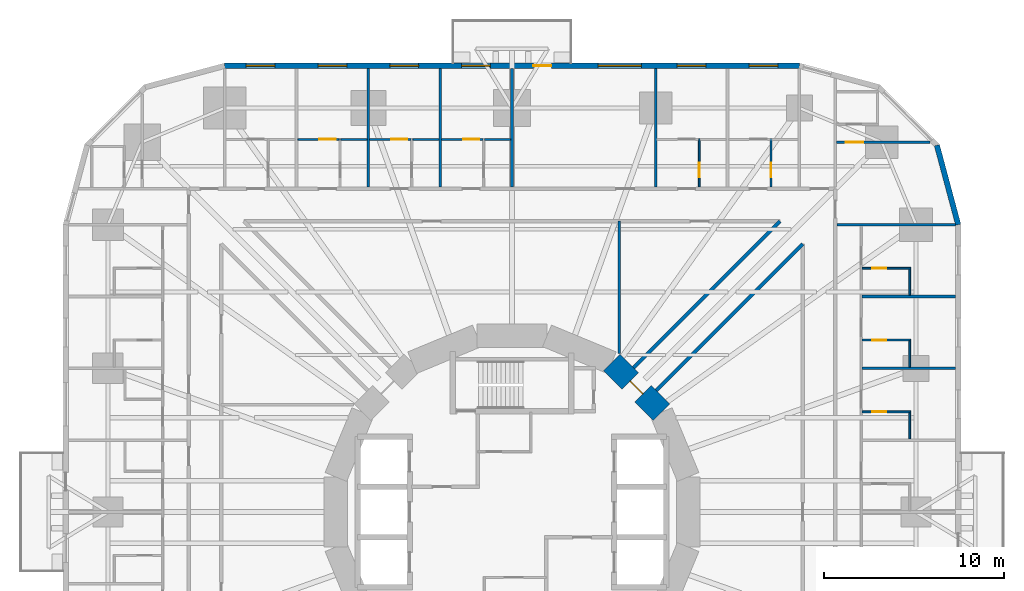
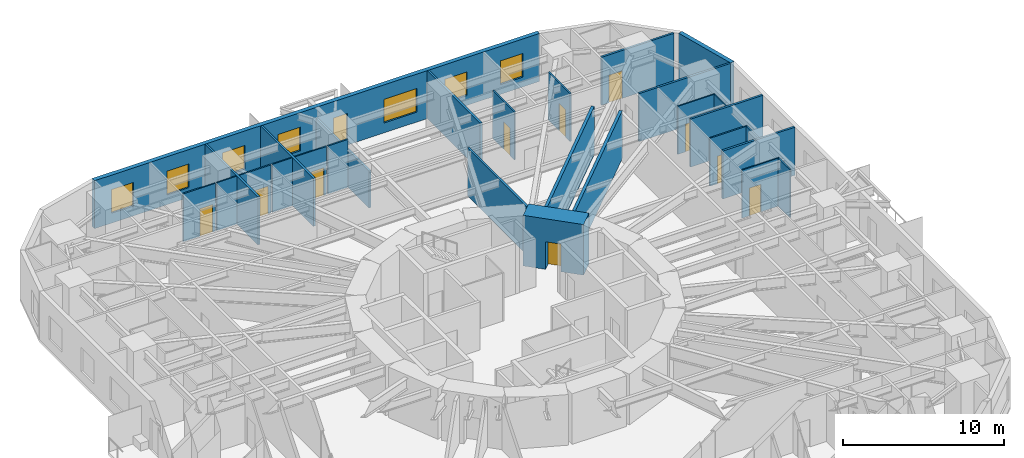
# One storey, part 11 of 14: 28 walls, 11 doors, 7 windows, 18 openings.
"""IFC4 building model written with IfcOpenShell, lengths in metres."""

from ifc_helpers import new_model, si_unit, direction, frame, frame_2d, origin, place, context, subcontext, project, spatial, rectangle, extrude, material, layer, layer_set, type_object, element, fill, save


model = new_model("IFC4")

# Units and contexts
model_context = context("Model", 3, precision=1e-05, world=origin(), true_north=direction((0.0, 1.0)))
body_context = subcontext(model_context, "Body", "Model", "MODEL_VIEW")
ifc_project = project(units=[si_unit("LENGTHUNIT", "METRE"), si_unit("AREAUNIT", "SQUARE_METRE"), si_unit("VOLUMEUNIT", "CUBIC_METRE"), si_unit("PLANEANGLEUNIT", "RADIAN"), si_unit("MASSUNIT", "GRAM", prefix="KILO")], contexts=[model_context])

# Site, building, storey
site_placement = place(None, origin())
site = spatial("IfcSite", under=ifc_project, at=site_placement, CompositionType="ELEMENT")
building_placement = place(site_placement, origin())
building = spatial("IfcBuilding", under=site, at=building_placement, Name="Nakasero Lantern House", CompositionType="ELEMENT")
storey_placement = place(building_placement, frame((0.0, 0.0, 23.699951171875)))
storey = spatial("IfcBuildingStorey", under=building, at=storey_placement, Name="L05", CompositionType="ELEMENT", Elevation=23.699951171875)

# Wall, opening, door
ifc_material_1 = material(Name="Concrete C50/60", Category="concrete")
ifc_layer_1 = layer(ifc_material_1, 1.300048828125)
ifc_layer_set_1 = layer_set([ifc_layer_1], Name="Core wall 1300")
wall_type_1 = type_object("IfcWallType", Name="Core wall 1300", PredefinedType="SHEAR", material=ifc_layer_set_1)
wall_1_placement = place(storey_placement, frame((8.314697265625, 5.5556640625, 0.0), z_axis=(0.0, 0.0, 1.0), x_axis=(-0.707106781187, 0.707106781187, 0.0)))
wall_1 = element("IfcWall", 1, at=wall_1_placement, inside=storey, type_object=wall_type_1, Name="Core wall L05 facet 2", PredefinedType="SHEAR", context=body_context, shape_type="SweptSolid", body=[
    extrude(rectangle(XDim=3.90185546875, YDim=1.300048828125, at=frame_2d((1.950927734375, 0.0))), origin(), (0.0, 0.0, 1.0), 3.85009765625),
])
opening_1_placement = place(wall_1_placement, frame((1.450927734375, 0.0, 0.0)))
opening_1 = element("IfcOpeningElement", 2, at=opening_1_placement, cuts=wall_1, Name="Opening D05", PredefinedType="OPENING", context=body_context, shape_type="SweptSolid", body=[
    extrude(rectangle(XDim=1.0, YDim=2.10009765625, at=frame_2d((0.5, 1.050048828125))), frame((0.0, 0.669921875, 0.0), z_axis=(0.0, -1.0, 0.0), x_axis=(1.0, 0.0, 0.0)), (0.0, 0.0, 1.0), 1.340087890625),
])
ifc_material_2 = material(Name="Timber C24", Category="wood")
door_type_1 = type_object("IfcDoorType", Name="Core door FD60S 1000", OperationType="SINGLE_SWING_LEFT", PredefinedType="DOOR", material=ifc_material_2)
door_1_placement = place(opening_1_placement, origin())
door_1 = element("IfcDoor", 3, at=door_1_placement, inside=storey, type_object=door_type_1, Name="Door L05 D-CORE02", OperationType="SINGLE_SWING_LEFT", OverallHeight=2.10009765625, OverallWidth=1.0, PredefinedType="DOOR", context=body_context, shape_type="SweptSolid", body=[
    extrude(rectangle(XDim=1.0, YDim=2.10009765625, at=frame_2d((0.5, 1.050048828125))), frame((0.0, 0.02490234375, 0.0), z_axis=(0.0, -1.0, 0.0), x_axis=(1.0, 0.0, 0.0)), (0.0, 0.0, 1.0), 0.050048828125),
])
fill(opening_1, door_1)

# Walls
ifc_material_3 = material(Name="Blockwork", Category="masonry")
ifc_layer_2 = layer(ifc_material_3, 0.199951171875)
ifc_layer_set_2 = layer_set([ifc_layer_2], Name="Corridor wall 200")
wall_type_2 = type_object("IfcWallType", Name="Corridor wall 200", PredefinedType="PARTITIONING", material=ifc_layer_set_2)
for number, where, z_axis, x_axis, name in (
    (4, (6.758544921875, 8.03125, 0.0), (0.0, 0.0, 1.0), (0.707106781187, 0.707106781187, 0.0), "Corridor wall L05 PS02a"),
    (5, (8.03125, 6.758544921875, 0.0), (0.0, 0.0, 1.0), (0.707106781187, 0.707106781187, 0.0), "Corridor wall L05 PS02b"),
):
    element("IfcWall", number, at=place(storey_placement, frame(where, z_axis=z_axis, x_axis=x_axis)), inside=storey, type_object=wall_type_2, Name=name, PredefinedType="PARTITIONING", context=body_context, shape_type="SweptSolid", body=[
        extrude(rectangle(XDim=11.55224609375, YDim=0.199951171875, at=frame_2d((5.776123046875, 0.0))), origin(), (0.0, 0.0, 1.0), 3.650146484375),
    ])

# Wall, opening, door
ifc_material_4 = material(Name="Blockwork", Category="masonry")
ifc_layer_3 = layer(ifc_material_4, 0.10009765625)
ifc_layer_set_3 = layer_set([ifc_layer_3], Name="En-suite wall 100")
wall_type_3 = type_object("IfcWallType", Name="En-suite wall 100", PredefinedType="PARTITIONING", material=ifc_layer_set_3)
wall_2_placement = place(storey_placement, frame((19.5, 5.574951171875, 0.0), z_axis=(0.0, 0.0, 1.0), x_axis=(1.0, 0.0, 0.0)))
wall_2 = element("IfcWall", 6, at=wall_2_placement, inside=storey, type_object=wall_type_3, Name="En-suite wall L05 ES0-06", PredefinedType="PARTITIONING", context=body_context, shape_type="SweptSolid", body=[
    extrude(rectangle(XDim=2.699951171875, YDim=0.10009765625, at=frame_2d((1.35009765625, 0.0))), origin(), (0.0, 0.0, 1.0), 3.650146484375),
])
opening_2_placement = place(wall_2_placement, frame((0.550048828125, 0.0, 0.0)))
opening_2 = element("IfcOpeningElement", 7, at=opening_2_placement, cuts=wall_2, Name="Opening D02", PredefinedType="OPENING", context=body_context, shape_type="SweptSolid", body=[
    extrude(rectangle(XDim=0.800048828125, YDim=2.10009765625, at=frame_2d((0.39990234375, 1.050048828125))), frame((0.0, 0.070068359375, 0.0), z_axis=(0.0, -1.0, 0.0), x_axis=(1.0, 0.0, 0.0)), (0.0, 0.0, 1.0), 0.14013671875),
])
ifc_material_5 = material(Name="Timber C24", Category="wood")
door_type_2 = type_object("IfcDoorType", Name="En-suite door 800", OperationType="SINGLE_SWING_RIGHT", PredefinedType="DOOR", material=ifc_material_5)
door_2_placement = place(opening_2_placement, origin())
door_2 = element("IfcDoor", 8, at=door_2_placement, inside=storey, type_object=door_type_2, Name="Door L05 DE0-06", OperationType="SINGLE_SWING_LEFT", OverallHeight=2.10009765625, OverallWidth=0.800048828125, PredefinedType="DOOR", context=body_context, shape_type="SweptSolid", body=[
    extrude(rectangle(XDim=0.800048828125, YDim=2.10009765625, at=frame_2d((0.39990234375, 1.050048828125))), frame((0.0, 0.02490234375, 0.0), z_axis=(0.0, -1.0, 0.0), x_axis=(1.0, 0.0, 0.0)), (0.0, 0.0, 1.0), 0.050048828125),
])
fill(opening_2, door_2)

# Wall
wall_3_placement = place(storey_placement, frame((22.14990234375, 4.074951171875, 0.0), z_axis=(0.0, 0.0, 1.0), x_axis=(0.0, 1.0, 0.0)))
element("IfcWall", 9, at=wall_3_placement, inside=storey, type_object=wall_type_3, Name="En-suite wall L05 EE0-06", PredefinedType="PARTITIONING", context=body_context, shape_type="SweptSolid", body=[
    extrude(rectangle(XDim=1.449951171875, YDim=0.10009765625, at=frame_2d((0.72509765625, 0.0))), origin(), (0.0, 0.0, 1.0), 3.650146484375),
])

# Wall, opening, door
wall_4_placement = place(storey_placement, frame((19.5, 9.574951171875, 0.0), z_axis=(0.0, 0.0, 1.0), x_axis=(1.0, 0.0, 0.0)))
wall_4 = element("IfcWall", 10, at=wall_4_placement, inside=storey, type_object=wall_type_3, Name="En-suite wall L05 ES0-07", PredefinedType="PARTITIONING", context=body_context, shape_type="SweptSolid", body=[
    extrude(rectangle(XDim=2.699951171875, YDim=0.10009765625, at=frame_2d((1.35009765625, 0.0))), origin(), (0.0, 0.0, 1.0), 3.650146484375),
])
opening_3_placement = place(wall_4_placement, frame((0.550048828125, 0.0, 0.0)))
opening_3 = element("IfcOpeningElement", 11, at=opening_3_placement, cuts=wall_4, Name="Opening D02", PredefinedType="OPENING", context=body_context, shape_type="SweptSolid", body=[
    extrude(rectangle(XDim=0.800048828125, YDim=2.10009765625, at=frame_2d((0.39990234375, 1.050048828125))), frame((0.0, 0.070068359375, 0.0), z_axis=(0.0, -1.0, 0.0), x_axis=(1.0, 0.0, 0.0)), (0.0, 0.0, 1.0), 0.14013671875),
])
door_3_placement = place(opening_3_placement, origin())
door_3 = element("IfcDoor", 12, at=door_3_placement, inside=storey, type_object=door_type_2, Name="Door L05 DE0-07", OperationType="SINGLE_SWING_LEFT", OverallHeight=2.10009765625, OverallWidth=0.800048828125, PredefinedType="DOOR", context=body_context, shape_type="SweptSolid", body=[
    extrude(rectangle(XDim=0.800048828125, YDim=2.10009765625, at=frame_2d((0.39990234375, 1.050048828125))), frame((0.0, 0.02490234375, 0.0), z_axis=(0.0, -1.0, 0.0), x_axis=(1.0, 0.0, 0.0)), (0.0, 0.0, 1.0), 0.050048828125),
])
fill(opening_3, door_3)

# Wall
wall_5_placement = place(storey_placement, frame((22.14990234375, 8.074951171875, 0.0), z_axis=(0.0, 0.0, 1.0), x_axis=(0.0, 1.0, 0.0)))
element("IfcWall", 13, at=wall_5_placement, inside=storey, type_object=wall_type_3, Name="En-suite wall L05 EE0-07", PredefinedType="PARTITIONING", context=body_context, shape_type="SweptSolid", body=[
    extrude(rectangle(XDim=1.449951171875, YDim=0.10009765625, at=frame_2d((0.72509765625, 0.0))), origin(), (0.0, 0.0, 1.0), 3.650146484375),
])

# Wall, opening, door
wall_6_placement = place(storey_placement, frame((19.5, 13.574951171875, 0.0), z_axis=(0.0, 0.0, 1.0), x_axis=(1.0, 0.0, 0.0)))
wall_6 = element("IfcWall", 14, at=wall_6_placement, inside=storey, type_object=wall_type_3, Name="En-suite wall L05 ES0-08", PredefinedType="PARTITIONING", context=body_context, shape_type="SweptSolid", body=[
    extrude(rectangle(XDim=2.699951171875, YDim=0.10009765625, at=frame_2d((1.35009765625, 0.0))), origin(), (0.0, 0.0, 1.0), 3.650146484375),
])
opening_4_placement = place(wall_6_placement, frame((0.550048828125, 0.0, 0.0)))
opening_4 = element("IfcOpeningElement", 15, at=opening_4_placement, cuts=wall_6, Name="Opening D02", PredefinedType="OPENING", context=body_context, shape_type="SweptSolid", body=[
    extrude(rectangle(XDim=0.800048828125, YDim=2.10009765625, at=frame_2d((0.39990234375, 1.050048828125))), frame((0.0, 0.070068359375, 0.0), z_axis=(0.0, -1.0, 0.0), x_axis=(1.0, 0.0, 0.0)), (0.0, 0.0, 1.0), 0.14013671875),
])
door_4_placement = place(opening_4_placement, origin())
door_4 = element("IfcDoor", 16, at=door_4_placement, inside=storey, type_object=door_type_2, Name="Door L05 DE0-08", OperationType="SINGLE_SWING_LEFT", OverallHeight=2.10009765625, OverallWidth=0.800048828125, PredefinedType="DOOR", context=body_context, shape_type="SweptSolid", body=[
    extrude(rectangle(XDim=0.800048828125, YDim=2.10009765625, at=frame_2d((0.39990234375, 1.050048828125))), frame((0.0, 0.02490234375, 0.0), z_axis=(0.0, -1.0, 0.0), x_axis=(1.0, 0.0, 0.0)), (0.0, 0.0, 1.0), 0.050048828125),
])
fill(opening_4, door_4)

# Wall
wall_7_placement = place(storey_placement, frame((22.14990234375, 12.074951171875, 0.0), z_axis=(0.0, 0.0, 1.0), x_axis=(0.0, 1.0, 0.0)))
element("IfcWall", 17, at=wall_7_placement, inside=storey, type_object=wall_type_3, Name="En-suite wall L05 EE0-08", PredefinedType="PARTITIONING", context=body_context, shape_type="SweptSolid", body=[
    extrude(rectangle(XDim=1.449951171875, YDim=0.10009765625, at=frame_2d((0.72509765625, 0.0))), origin(), (0.0, 0.0, 1.0), 3.650146484375),
])

# Wall, opening, door
wall_8_placement = place(storey_placement, frame((14.425048828125, 18.10009765625, 0.0), z_axis=(0.0, 0.0, 1.0), x_axis=(0.0, 1.0, 0.0)))
wall_8 = element("IfcWall", 18, at=wall_8_placement, inside=storey, type_object=wall_type_3, Name="En-suite wall L05 ES1-01", PredefinedType="PARTITIONING", context=body_context, shape_type="SweptSolid", body=[
    extrude(rectangle(XDim=2.699951171875, YDim=0.10009765625, at=frame_2d((1.35009765625, 0.0))), origin(), (0.0, 0.0, 1.0), 3.650146484375),
])
opening_5_placement = place(wall_8_placement, frame((0.550048828125, 0.0, 0.0)))
opening_5 = element("IfcOpeningElement", 19, at=opening_5_placement, cuts=wall_8, Name="Opening D02", PredefinedType="OPENING", context=body_context, shape_type="SweptSolid", body=[
    extrude(rectangle(XDim=0.800048828125, YDim=2.10009765625, at=frame_2d((0.39990234375, 1.050048828125))), frame((0.0, 0.070068359375, 0.0), z_axis=(0.0, -1.0, 0.0), x_axis=(1.0, 0.0, 0.0)), (0.0, 0.0, 1.0), 0.14013671875),
])
door_5_placement = place(opening_5_placement, origin())
door_5 = element("IfcDoor", 20, at=door_5_placement, inside=storey, type_object=door_type_2, Name="Door L05 DE1-01", OperationType="SINGLE_SWING_LEFT", OverallHeight=2.10009765625, OverallWidth=0.800048828125, PredefinedType="DOOR", context=body_context, shape_type="SweptSolid", body=[
    extrude(rectangle(XDim=0.800048828125, YDim=2.10009765625, at=frame_2d((0.39990234375, 1.050048828125))), frame((0.0, 0.02490234375, 0.0), z_axis=(0.0, -1.0, 0.0), x_axis=(1.0, 0.0, 0.0)), (0.0, 0.0, 1.0), 0.050048828125),
])
fill(opening_5, door_5)

wall_9_placement = place(storey_placement, frame((10.425048828125, 18.10009765625, 0.0), z_axis=(0.0, 0.0, 1.0), x_axis=(0.0, 1.0, 0.0)))
wall_9 = element("IfcWall", 21, at=wall_9_placement, inside=storey, type_object=wall_type_3, Name="En-suite wall L05 ES1-02", PredefinedType="PARTITIONING", context=body_context, shape_type="SweptSolid", body=[
    extrude(rectangle(XDim=2.699951171875, YDim=0.10009765625, at=frame_2d((1.35009765625, 0.0))), origin(), (0.0, 0.0, 1.0), 3.650146484375),
])
opening_6_placement = place(wall_9_placement, frame((0.550048828125, 0.0, 0.0)))
opening_6 = element("IfcOpeningElement", 22, at=opening_6_placement, cuts=wall_9, Name="Opening D02", PredefinedType="OPENING", context=body_context, shape_type="SweptSolid", body=[
    extrude(rectangle(XDim=0.800048828125, YDim=2.10009765625, at=frame_2d((0.39990234375, 1.050048828125))), frame((0.0, 0.070068359375, 0.0), z_axis=(0.0, -1.0, 0.0), x_axis=(1.0, 0.0, 0.0)), (0.0, 0.0, 1.0), 0.14013671875),
])
door_6_placement = place(opening_6_placement, origin())
door_6 = element("IfcDoor", 23, at=door_6_placement, inside=storey, type_object=door_type_2, Name="Door L05 DE1-02", OperationType="SINGLE_SWING_LEFT", OverallHeight=2.10009765625, OverallWidth=0.800048828125, PredefinedType="DOOR", context=body_context, shape_type="SweptSolid", body=[
    extrude(rectangle(XDim=0.800048828125, YDim=2.10009765625, at=frame_2d((0.39990234375, 1.050048828125))), frame((0.0, 0.02490234375, 0.0), z_axis=(0.0, -1.0, 0.0), x_axis=(1.0, 0.0, 0.0)), (0.0, 0.0, 1.0), 0.050048828125),
])
fill(opening_6, door_6)

# Walls
for number, where, z_axis, x_axis, name in (
    (24, (-0.074951171875, 20.75, 0.0), (0.0, 0.0, 1.0), (-1.0, 0.0, 0.0), "En-suite wall L05 EE1-05"),
    (25, (-4.074951171875, 20.75, 0.0), (0.0, 0.0, 1.0), (-1.0, 0.0, 0.0), "En-suite wall L05 EE1-06"),
    (26, (-8.074951171875, 20.75, 0.0), (0.0, 0.0, 1.0), (-1.0, 0.0, 0.0), "En-suite wall L05 EE1-07"),
):
    element("IfcWall", number, at=place(storey_placement, frame(where, z_axis=z_axis, x_axis=x_axis)), inside=storey, type_object=wall_type_3, Name=name, PredefinedType="PARTITIONING", context=body_context, shape_type="SweptSolid", body=[
        extrude(rectangle(XDim=1.449951171875, YDim=0.10009765625, at=frame_2d((0.72509765625, 0.0))), origin(), (0.0, 0.0, 1.0), 3.650146484375),
    ])

# Wall, opening, door
wall_10_placement = place(storey_placement, frame((-1.625, 20.75, 0.0), z_axis=(0.0, 0.0, 1.0), x_axis=(-1.0, 0.0, 0.0)))
wall_10 = element("IfcWall", 27, at=wall_10_placement, inside=storey, type_object=wall_type_3, Name="En-suite wall L05 EL1-05", PredefinedType="PARTITIONING", context=body_context, shape_type="SweptSolid", body=[
    extrude(rectangle(XDim=2.300048828125, YDim=0.10009765625, at=frame_2d((1.14990234375, 0.0))), origin(), (0.0, 0.0, 1.0), 3.650146484375),
])
opening_7_placement = place(wall_10_placement, frame((0.199951171875, 0.0, 0.0)))
opening_7 = element("IfcOpeningElement", 28, at=opening_7_placement, cuts=wall_10, Name="Opening D17", PredefinedType="OPENING", context=body_context, shape_type="SweptSolid", body=[
    extrude(rectangle(XDim=0.89990234375, YDim=2.10009765625, at=frame_2d((0.449951171875, 1.050048828125))), frame((0.0, 0.070068359375, 0.0), z_axis=(0.0, -1.0, 0.0), x_axis=(1.0, 0.0, 0.0)), (0.0, 0.0, 1.0), 0.14013671875),
])
ifc_material_6 = material(Name="Timber C24", Category="wood")
door_type_3 = type_object("IfcDoorType", Name="Bedroom door FD30S 900", OperationType="SINGLE_SWING_LEFT", PredefinedType="DOOR", material=ifc_material_6)
door_7_placement = place(opening_7_placement, origin())
door_7 = element("IfcDoor", 29, at=door_7_placement, inside=storey, type_object=door_type_3, Name="Door L05 DL1-05", OperationType="SINGLE_SWING_LEFT", OverallHeight=2.10009765625, OverallWidth=0.89990234375, PredefinedType="DOOR", context=body_context, shape_type="SweptSolid", body=[
    extrude(rectangle(XDim=0.89990234375, YDim=2.10009765625, at=frame_2d((0.449951171875, 1.050048828125))), frame((0.0, 0.02490234375, 0.0), z_axis=(0.0, -1.0, 0.0), x_axis=(1.0, 0.0, 0.0)), (0.0, 0.0, 1.0), 0.050048828125),
])
fill(opening_7, door_7)

wall_11_placement = place(storey_placement, frame((-5.625, 20.75, 0.0), z_axis=(0.0, 0.0, 1.0), x_axis=(-1.0, 0.0, 0.0)))
wall_11 = element("IfcWall", 30, at=wall_11_placement, inside=storey, type_object=wall_type_3, Name="En-suite wall L05 EL1-06", PredefinedType="PARTITIONING", context=body_context, shape_type="SweptSolid", body=[
    extrude(rectangle(XDim=2.300048828125, YDim=0.10009765625, at=frame_2d((1.14990234375, 0.0))), origin(), (0.0, 0.0, 1.0), 3.650146484375),
])
opening_8_placement = place(wall_11_placement, frame((0.199951171875, 0.0, 0.0)))
opening_8 = element("IfcOpeningElement", 31, at=opening_8_placement, cuts=wall_11, Name="Opening D17", PredefinedType="OPENING", context=body_context, shape_type="SweptSolid", body=[
    extrude(rectangle(XDim=0.89990234375, YDim=2.10009765625, at=frame_2d((0.449951171875, 1.050048828125))), frame((0.0, 0.070068359375, 0.0), z_axis=(0.0, -1.0, 0.0), x_axis=(1.0, 0.0, 0.0)), (0.0, 0.0, 1.0), 0.14013671875),
])
door_8_placement = place(opening_8_placement, origin())
door_8 = element("IfcDoor", 32, at=door_8_placement, inside=storey, type_object=door_type_3, Name="Door L05 DL1-06", OperationType="SINGLE_SWING_LEFT", OverallHeight=2.10009765625, OverallWidth=0.89990234375, PredefinedType="DOOR", context=body_context, shape_type="SweptSolid", body=[
    extrude(rectangle(XDim=0.89990234375, YDim=2.10009765625, at=frame_2d((0.449951171875, 1.050048828125))), frame((0.0, 0.02490234375, 0.0), z_axis=(0.0, -1.0, 0.0), x_axis=(1.0, 0.0, 0.0)), (0.0, 0.0, 1.0), 0.050048828125),
])
fill(opening_8, door_8)

wall_12_placement = place(storey_placement, frame((-9.625, 20.75, 0.0), z_axis=(0.0, 0.0, 1.0), x_axis=(-1.0, 0.0, 0.0)))
wall_12 = element("IfcWall", 33, at=wall_12_placement, inside=storey, type_object=wall_type_3, Name="En-suite wall L05 EL1-07", PredefinedType="PARTITIONING", context=body_context, shape_type="SweptSolid", body=[
    extrude(rectangle(XDim=2.300048828125, YDim=0.10009765625, at=frame_2d((1.14990234375, 0.0))), origin(), (0.0, 0.0, 1.0), 3.650146484375),
])
opening_9_placement = place(wall_12_placement, frame((0.199951171875, 0.0, 0.0)))
opening_9 = element("IfcOpeningElement", 34, at=opening_9_placement, cuts=wall_12, Name="Opening D17", PredefinedType="OPENING", context=body_context, shape_type="SweptSolid", body=[
    extrude(rectangle(XDim=0.89990234375, YDim=2.10009765625, at=frame_2d((0.449951171875, 1.050048828125))), frame((0.0, 0.070068359375, 0.0), z_axis=(0.0, -1.0, 0.0), x_axis=(1.0, 0.0, 0.0)), (0.0, 0.0, 1.0), 0.14013671875),
])
door_9_placement = place(opening_9_placement, origin())
door_9 = element("IfcDoor", 35, at=door_9_placement, inside=storey, type_object=door_type_3, Name="Door L05 DL1-07", OperationType="SINGLE_SWING_LEFT", OverallHeight=2.10009765625, OverallWidth=0.89990234375, PredefinedType="DOOR", context=body_context, shape_type="SweptSolid", body=[
    extrude(rectangle(XDim=0.89990234375, YDim=2.10009765625, at=frame_2d((0.449951171875, 1.050048828125))), frame((0.0, 0.02490234375, 0.0), z_axis=(0.0, -1.0, 0.0), x_axis=(1.0, 0.0, 0.0)), (0.0, 0.0, 1.0), 0.050048828125),
])
fill(opening_9, door_9)

# Wall
ifc_material_7 = material(Name="Aluminium rainscreen on blockwork", Category="masonry")
ifc_layer_4 = layer(ifc_material_7, 0.300048828125)
ifc_layer_set_4 = layer_set([ifc_layer_4], Name="Facade wall 300")
wall_type_4 = type_object("IfcWallType", Name="Facade wall 300", PredefinedType="SOLIDWALL", material=ifc_layer_set_4)
wall_13_placement = place(storey_placement, frame((24.85009765625, 16.0, 0.0), z_axis=(0.0, 0.0, 1.0), x_axis=(-0.258839972501, 0.965920218567, 0.0)))
element("IfcWall", 36, at=wall_13_placement, inside=storey, type_object=wall_type_4, Name="Facade wall L05 FW0C1", PredefinedType="SOLIDWALL", context=body_context, shape_type="SweptSolid", body=[
    extrude(rectangle(XDim=4.5810546875, YDim=0.300048828125, at=frame_2d((2.29052734375, 0.0))), origin(), (0.0, 0.0, 1.0), 3.650146484375),
])

# Wall, openings, door, windows
wall_14_placement = place(storey_placement, frame((16.0, 24.85009765625, 0.0), z_axis=(0.0, 0.0, 1.0), x_axis=(-1.0, 0.0, 0.0)))
wall_14 = element("IfcWall", 37, at=wall_14_placement, inside=storey, type_object=wall_type_4, Name="Facade wall L05 FW1S", PredefinedType="SOLIDWALL", context=body_context, shape_type="SweptSolid", body=[
    extrude(rectangle(XDim=32.0, YDim=0.300048828125, at=frame_2d((16.0, 0.0))), origin(), (0.0, 0.0, 1.0), 3.650146484375),
])
opening_10_placement = place(wall_14_placement, frame((1.199951171875, 0.0, 0.75)))
opening_10 = element("IfcOpeningElement", 38, at=opening_10_placement, cuts=wall_14, Name="Opening W01", PredefinedType="OPENING", context=body_context, shape_type="SweptSolid", body=[
    extrude(rectangle(XDim=1.60009765625, YDim=1.800048828125, at=frame_2d((0.800048828125, 0.89990234375))), frame((0.0, 0.169921875, 0.0), z_axis=(0.0, -1.0, 0.0), x_axis=(1.0, 0.0, 0.0)), (0.0, 0.0, 1.0), 0.340087890625),
])
opening_11_placement = place(wall_14_placement, frame((5.199951171875, 0.0, 0.75)))
opening_11 = element("IfcOpeningElement", 39, at=opening_11_placement, cuts=wall_14, Name="Opening W01", PredefinedType="OPENING", context=body_context, shape_type="SweptSolid", body=[
    extrude(rectangle(XDim=1.60009765625, YDim=1.800048828125, at=frame_2d((0.800048828125, 0.89990234375))), frame((0.0, 0.169921875, 0.0), z_axis=(0.0, -1.0, 0.0), x_axis=(1.0, 0.0, 0.0)), (0.0, 0.0, 1.0), 0.340087890625),
])
opening_12_placement = place(wall_14_placement, frame((17.199951171875, 0.0, 0.75)))
opening_12 = element("IfcOpeningElement", 40, at=opening_12_placement, cuts=wall_14, Name="Opening W01", PredefinedType="OPENING", context=body_context, shape_type="SweptSolid", body=[
    extrude(rectangle(XDim=1.60009765625, YDim=1.800048828125, at=frame_2d((0.800048828125, 0.89990234375))), frame((0.0, 0.169921875, 0.0), z_axis=(0.0, -1.0, 0.0), x_axis=(1.0, 0.0, 0.0)), (0.0, 0.0, 1.0), 0.340087890625),
])
opening_13_placement = place(wall_14_placement, frame((21.199951171875, 0.0, 0.75)))
opening_13 = element("IfcOpeningElement", 41, at=opening_13_placement, cuts=wall_14, Name="Opening W01", PredefinedType="OPENING", context=body_context, shape_type="SweptSolid", body=[
    extrude(rectangle(XDim=1.60009765625, YDim=1.800048828125, at=frame_2d((0.800048828125, 0.89990234375))), frame((0.0, 0.169921875, 0.0), z_axis=(0.0, -1.0, 0.0), x_axis=(1.0, 0.0, 0.0)), (0.0, 0.0, 1.0), 0.340087890625),
])
opening_14_placement = place(wall_14_placement, frame((25.199951171875, 0.0, 0.75)))
opening_14 = element("IfcOpeningElement", 42, at=opening_14_placement, cuts=wall_14, Name="Opening W01", PredefinedType="OPENING", context=body_context, shape_type="SweptSolid", body=[
    extrude(rectangle(XDim=1.60009765625, YDim=1.800048828125, at=frame_2d((0.800048828125, 0.89990234375))), frame((0.0, 0.169921875, 0.0), z_axis=(0.0, -1.0, 0.0), x_axis=(1.0, 0.0, 0.0)), (0.0, 0.0, 1.0), 0.340087890625),
])
opening_15_placement = place(wall_14_placement, frame((29.199951171875, 0.0, 0.75)))
opening_15 = element("IfcOpeningElement", 43, at=opening_15_placement, cuts=wall_14, Name="Opening W01", PredefinedType="OPENING", context=body_context, shape_type="SweptSolid", body=[
    extrude(rectangle(XDim=1.60009765625, YDim=1.800048828125, at=frame_2d((0.800048828125, 0.89990234375))), frame((0.0, 0.169921875, 0.0), z_axis=(0.0, -1.0, 0.0), x_axis=(1.0, 0.0, 0.0)), (0.0, 0.0, 1.0), 0.340087890625),
])
opening_16_placement = place(wall_14_placement, frame((8.800048828125, 0.0, 0.75)))
opening_16 = element("IfcOpeningElement", 44, at=opening_16_placement, cuts=wall_14, Name="Opening W03", PredefinedType="OPENING", context=body_context, shape_type="SweptSolid", body=[
    extrude(rectangle(XDim=2.39990234375, YDim=1.800048828125, at=frame_2d((1.199951171875, 0.89990234375))), frame((0.0, 0.169921875, 0.0), z_axis=(0.0, -1.0, 0.0), x_axis=(1.0, 0.0, 0.0)), (0.0, 0.0, 1.0), 0.340087890625),
])
opening_17_placement = place(wall_14_placement, frame((13.8125, 0.0, 0.0)))
opening_17 = element("IfcOpeningElement", 45, at=opening_17_placement, cuts=wall_14, Name="Opening D04", PredefinedType="OPENING", context=body_context, shape_type="SweptSolid", body=[
    extrude(rectangle(XDim=1.0, YDim=2.39990234375, at=frame_2d((0.5, 1.199951171875))), frame((0.0, 0.169921875, 0.0), z_axis=(0.0, -1.0, 0.0), x_axis=(1.0, 0.0, 0.0)), (0.0, 0.0, 1.0), 0.340087890625),
])
ifc_material_8 = material(Name="Aluminium 6063-T6 and glass", Category="aluminium")
door_type_4 = type_object("IfcDoorType", Name="Balcony door 1000x2400", OperationType="SINGLE_SWING_RIGHT", PredefinedType="DOOR", material=ifc_material_8)
door_10_placement = place(opening_17_placement, origin())
door_10 = element("IfcDoor", 46, at=door_10_placement, inside=storey, type_object=door_type_4, Name="Balcony door L05 DB1", OperationType="SINGLE_SWING_RIGHT", OverallHeight=2.39990234375, OverallWidth=1.0, PredefinedType="DOOR", context=body_context, shape_type="SweptSolid", body=[
    extrude(rectangle(XDim=1.0, YDim=2.39990234375, at=frame_2d((0.5, 1.199951171875))), frame((0.0, 0.02490234375, 0.0), z_axis=(0.0, -1.0, 0.0), x_axis=(1.0, 0.0, 0.0)), (0.0, 0.0, 1.0), 0.050048828125),
])
fill(opening_17, door_10)
ifc_material_9 = material(Name="Aluminium 6063-T6 and glass", Category="aluminium")
window_type_1 = type_object("IfcWindowType", Name="Bedroom window 1600x1800", PartitioningType="SINGLE_PANEL", PredefinedType="WINDOW", material=ifc_material_9)
window_1_placement = place(opening_10_placement, origin())
window_1 = element("IfcWindow", 47, at=window_1_placement, inside=storey, type_object=window_type_1, Name="Window L05 WN1-01", OverallHeight=1.800048828125, OverallWidth=1.60009765625, PartitioningType="SINGLE_PANEL", PredefinedType="WINDOW", context=body_context, shape_type="SweptSolid", body=[
    extrude(rectangle(XDim=1.60009765625, YDim=1.800048828125, at=frame_2d((0.800048828125, 0.89990234375))), frame((0.0, 0.030029296875, 0.0), z_axis=(0.0, -1.0, 0.0), x_axis=(1.0, 0.0, 0.0)), (0.0, 0.0, 1.0), 0.06005859375),
])
fill(opening_10, window_1)
window_2_placement = place(opening_11_placement, origin())
window_2 = element("IfcWindow", 48, at=window_2_placement, inside=storey, type_object=window_type_1, Name="Window L05 WN1-02", OverallHeight=1.800048828125, OverallWidth=1.60009765625, PartitioningType="SINGLE_PANEL", PredefinedType="WINDOW", context=body_context, shape_type="SweptSolid", body=[
    extrude(rectangle(XDim=1.60009765625, YDim=1.800048828125, at=frame_2d((0.800048828125, 0.89990234375))), frame((0.0, 0.030029296875, 0.0), z_axis=(0.0, -1.0, 0.0), x_axis=(1.0, 0.0, 0.0)), (0.0, 0.0, 1.0), 0.06005859375),
])
fill(opening_11, window_2)
window_3_placement = place(opening_12_placement, origin())
window_3 = element("IfcWindow", 49, at=window_3_placement, inside=storey, type_object=window_type_1, Name="Window L05 WN1-05", OverallHeight=1.800048828125, OverallWidth=1.60009765625, PartitioningType="SINGLE_PANEL", PredefinedType="WINDOW", context=body_context, shape_type="SweptSolid", body=[
    extrude(rectangle(XDim=1.60009765625, YDim=1.800048828125, at=frame_2d((0.800048828125, 0.89990234375))), frame((0.0, 0.030029296875, 0.0), z_axis=(0.0, -1.0, 0.0), x_axis=(1.0, 0.0, 0.0)), (0.0, 0.0, 1.0), 0.06005859375),
])
fill(opening_12, window_3)
window_4_placement = place(opening_13_placement, origin())
window_4 = element("IfcWindow", 50, at=window_4_placement, inside=storey, type_object=window_type_1, Name="Window L05 WN1-06", OverallHeight=1.800048828125, OverallWidth=1.60009765625, PartitioningType="SINGLE_PANEL", PredefinedType="WINDOW", context=body_context, shape_type="SweptSolid", body=[
    extrude(rectangle(XDim=1.60009765625, YDim=1.800048828125, at=frame_2d((0.800048828125, 0.89990234375))), frame((0.0, 0.030029296875, 0.0), z_axis=(0.0, -1.0, 0.0), x_axis=(1.0, 0.0, 0.0)), (0.0, 0.0, 1.0), 0.06005859375),
])
fill(opening_13, window_4)
window_5_placement = place(opening_14_placement, origin())
window_5 = element("IfcWindow", 51, at=window_5_placement, inside=storey, type_object=window_type_1, Name="Window L05 WN1-07", OverallHeight=1.800048828125, OverallWidth=1.60009765625, PartitioningType="SINGLE_PANEL", PredefinedType="WINDOW", context=body_context, shape_type="SweptSolid", body=[
    extrude(rectangle(XDim=1.60009765625, YDim=1.800048828125, at=frame_2d((0.800048828125, 0.89990234375))), frame((0.0, 0.030029296875, 0.0), z_axis=(0.0, -1.0, 0.0), x_axis=(1.0, 0.0, 0.0)), (0.0, 0.0, 1.0), 0.06005859375),
])
fill(opening_14, window_5)
window_6_placement = place(opening_15_placement, origin())
window_6 = element("IfcWindow", 52, at=window_6_placement, inside=storey, type_object=window_type_1, Name="Window L05 WN1-08", OverallHeight=1.800048828125, OverallWidth=1.60009765625, PartitioningType="SINGLE_PANEL", PredefinedType="WINDOW", context=body_context, shape_type="SweptSolid", body=[
    extrude(rectangle(XDim=1.60009765625, YDim=1.800048828125, at=frame_2d((0.800048828125, 0.89990234375))), frame((0.0, 0.030029296875, 0.0), z_axis=(0.0, -1.0, 0.0), x_axis=(1.0, 0.0, 0.0)), (0.0, 0.0, 1.0), 0.06005859375),
])
fill(opening_15, window_6)
ifc_material_10 = material(Name="Aluminium 6063-T6 and glass", Category="aluminium")
window_type_2 = type_object("IfcWindowType", Name="Lounge window 2400x1800", PartitioningType="SINGLE_PANEL", PredefinedType="WINDOW", material=ifc_material_10)
window_7_placement = place(opening_16_placement, origin())
window_7 = element("IfcWindow", 53, at=window_7_placement, inside=storey, type_object=window_type_2, Name="Window L05 WK1", OverallHeight=1.800048828125, OverallWidth=2.39990234375, PartitioningType="SINGLE_PANEL", PredefinedType="WINDOW", context=body_context, shape_type="SweptSolid", body=[
    extrude(rectangle(XDim=2.39990234375, YDim=1.800048828125, at=frame_2d((1.199951171875, 0.89990234375))), frame((0.0, 0.030029296875, 0.0), z_axis=(0.0, -1.0, 0.0), x_axis=(1.0, 0.0, 0.0)), (0.0, 0.0, 1.0), 0.06005859375),
])
fill(opening_16, window_7)

# Walls
ifc_material_11 = material(Name="Blockwork", Category="masonry")
ifc_layer_5 = layer(ifc_material_11, 0.14990234375)
ifc_layer_set_5 = layer_set([ifc_layer_5], Name="Party wall 150")
wall_type_5 = type_object("IfcWallType", Name="Party wall 150", PredefinedType="PARTITIONING", material=ifc_layer_set_5)
for number, where, z_axis, x_axis, name in (
    (54, (19.5, 8.0, 0.0), (0.0, 0.0, 1.0), (1.0, 0.0, 0.0), "Party wall L05 PW0-07"),
    (55, (19.5, 12.0, 0.0), (0.0, 0.0, 1.0), (1.0, 0.0, 0.0), "Party wall L05 PW0-08"),
):
    element("IfcWall", number, at=place(storey_placement, frame(where, z_axis=z_axis, x_axis=x_axis)), inside=storey, type_object=wall_type_5, Name=name, PredefinedType="PARTITIONING", context=body_context, shape_type="SweptSolid", body=[
        extrude(rectangle(XDim=5.199951171875, YDim=0.14990234375, at=frame_2d((2.60009765625, 0.0))), origin(), (0.0, 0.0, 1.0), 3.650146484375),
    ])
wall_15_placement = place(storey_placement, frame((18.10009765625, 16.0, 0.0), z_axis=(0.0, 0.0, 1.0), x_axis=(1.0, 0.0, 0.0)))
element("IfcWall", 56, at=wall_15_placement, inside=storey, type_object=wall_type_5, Name="Party wall L05 PW0-09", PredefinedType="PARTITIONING", context=body_context, shape_type="SweptSolid", body=[
    extrude(rectangle(XDim=6.58935546875, YDim=0.14990234375, at=frame_2d((3.294677734375, 0.0))), origin(), (0.0, 0.0, 1.0), 3.650146484375),
])

# Wall, opening, door
wall_16_placement = place(storey_placement, frame((18.06494140625, 20.59619140625, 0.0), z_axis=(0.0, 0.0, 1.0), x_axis=(1.0, 0.0, 0.0)))
wall_16 = element("IfcWall", 57, at=wall_16_placement, inside=storey, type_object=wall_type_5, Name="Party wall L05 PC0", PredefinedType="PARTITIONING", context=body_context, shape_type="SweptSolid", body=[
    extrude(rectangle(XDim=5.208740234375, YDim=0.14990234375, at=frame_2d((2.6044921875, 0.0))), origin(), (0.0, 0.0, 1.0), 3.650146484375),
])
opening_18_placement = place(wall_16_placement, frame((0.534912109375, 0.0, 0.0)))
opening_18 = element("IfcOpeningElement", 58, at=opening_18_placement, cuts=wall_16, Name="Opening D01", PredefinedType="OPENING", context=body_context, shape_type="SweptSolid", body=[
    extrude(rectangle(XDim=0.949951171875, YDim=2.10009765625, at=frame_2d((0.47509765625, 1.050048828125))), frame((0.0, 0.094970703125, 0.0), z_axis=(0.0, -1.0, 0.0), x_axis=(1.0, 0.0, 0.0)), (0.0, 0.0, 1.0), 0.18994140625),
])
ifc_material_12 = material(Name="Timber C24", Category="wood")
door_type_5 = type_object("IfcDoorType", Name="Bedroom door FD30S 950", OperationType="SINGLE_SWING_LEFT", PredefinedType="DOOR", material=ifc_material_12)
door_11_placement = place(opening_18_placement, origin())
door_11 = element("IfcDoor", 59, at=door_11_placement, inside=storey, type_object=door_type_5, Name="Door L05 DC0", OperationType="SINGLE_SWING_LEFT", OverallHeight=2.10009765625, OverallWidth=0.949951171875, PredefinedType="DOOR", context=body_context, shape_type="SweptSolid", body=[
    extrude(rectangle(XDim=0.949951171875, YDim=2.10009765625, at=frame_2d((0.47509765625, 1.050048828125))), frame((0.0, 0.02490234375, 0.0), z_axis=(0.0, -1.0, 0.0), x_axis=(1.0, 0.0, 0.0)), (0.0, 0.0, 1.0), 0.050048828125),
])
fill(opening_18, door_11)

# Walls
wall_17_placement = place(storey_placement, frame((8.0, 18.10009765625, 0.0), z_axis=(0.0, 0.0, 1.0), x_axis=(0.0, 1.0, 0.0)))
element("IfcWall", 60, at=wall_17_placement, inside=storey, type_object=wall_type_5, Name="Party wall L05 PW1-03", PredefinedType="PARTITIONING", context=body_context, shape_type="SweptSolid", body=[
    extrude(rectangle(XDim=6.599853515625, YDim=0.14990234375, at=frame_2d((3.2998046875, 0.0))), origin(), (0.0, 0.0, 1.0), 3.650146484375),
])
wall_18_placement = place(storey_placement, frame((0.0, 18.10009765625, 0.0), z_axis=(0.0, 0.0, 1.0), x_axis=(0.0, 1.0, 0.0)))
element("IfcWall", 61, at=wall_18_placement, inside=storey, type_object=wall_type_5, Name="Party wall L05 PW1-05", PredefinedType="PARTITIONING", context=body_context, shape_type="SweptSolid", body=[
    extrude(rectangle(XDim=6.599853515625, YDim=0.14990234375, at=frame_2d((3.2998046875, 0.0))), origin(), (0.0, 0.0, 1.0), 2.809326171875),
])
for number, where, z_axis, x_axis, name in (
    (62, (-4.0, 18.10009765625, 0.0), (0.0, 0.0, 1.0), (0.0, 1.0, 0.0), "Party wall L05 PW1-06"),
    (63, (-8.0, 18.10009765625, 0.0), (0.0, 0.0, 1.0), (0.0, 1.0, 0.0), "Party wall L05 PW1-07"),
):
    element("IfcWall", number, at=place(storey_placement, frame(where, z_axis=z_axis, x_axis=x_axis)), inside=storey, type_object=wall_type_5, Name=name, PredefinedType="PARTITIONING", context=body_context, shape_type="SweptSolid", body=[
        extrude(rectangle(XDim=6.599853515625, YDim=0.14990234375, at=frame_2d((3.2998046875, 0.0))), origin(), (0.0, 0.0, 1.0), 3.650146484375),
    ])
wall_19_placement = place(storey_placement, frame((5.970947265625, 8.81884765625, 0.0), z_axis=(0.0, 0.0, 1.0), x_axis=(0.0, 1.0, 0.0)))
element("IfcWall", 64, at=wall_19_placement, inside=storey, type_object=wall_type_5, Name="Party wall L05 IS2", PredefinedType="PARTITIONING", context=body_context, shape_type="SweptSolid", body=[
    extrude(rectangle(XDim=7.381103515625, YDim=0.14990234375, at=frame_2d((3.6904296875, 0.0))), origin(), (0.0, 0.0, 1.0), 3.650146484375),
])

save(model, "model.ifc")
